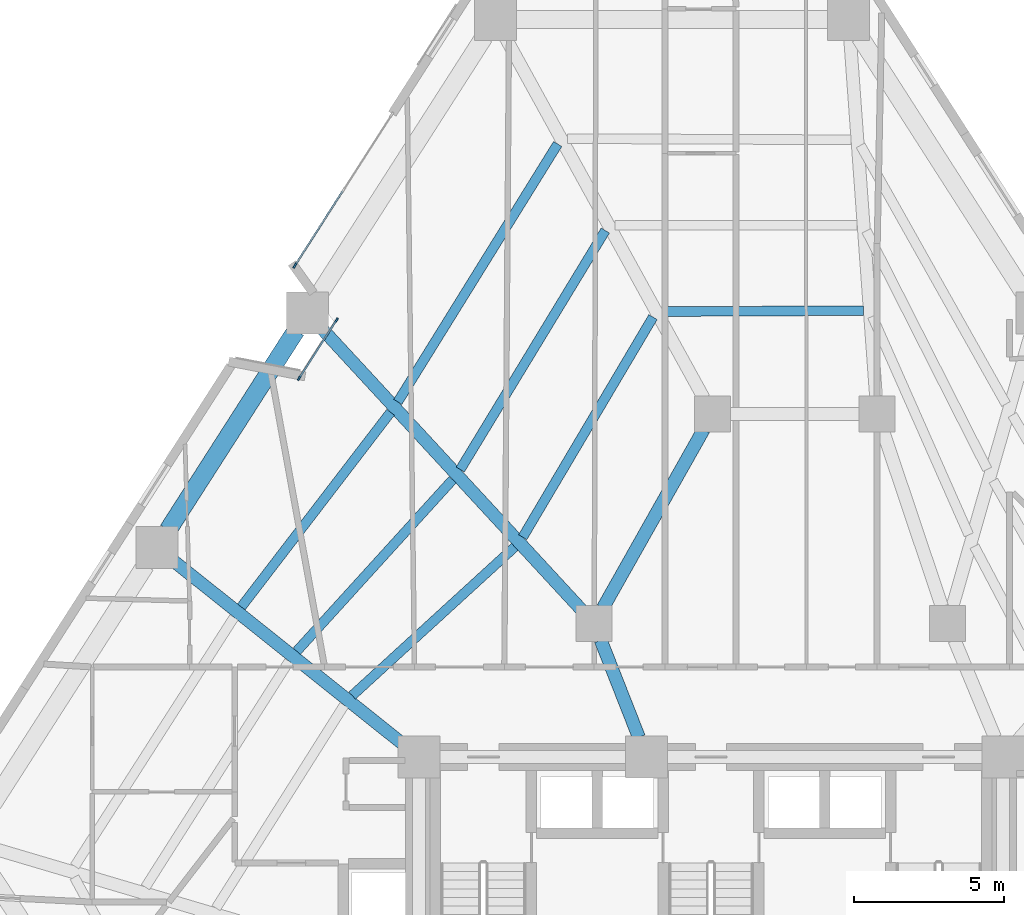
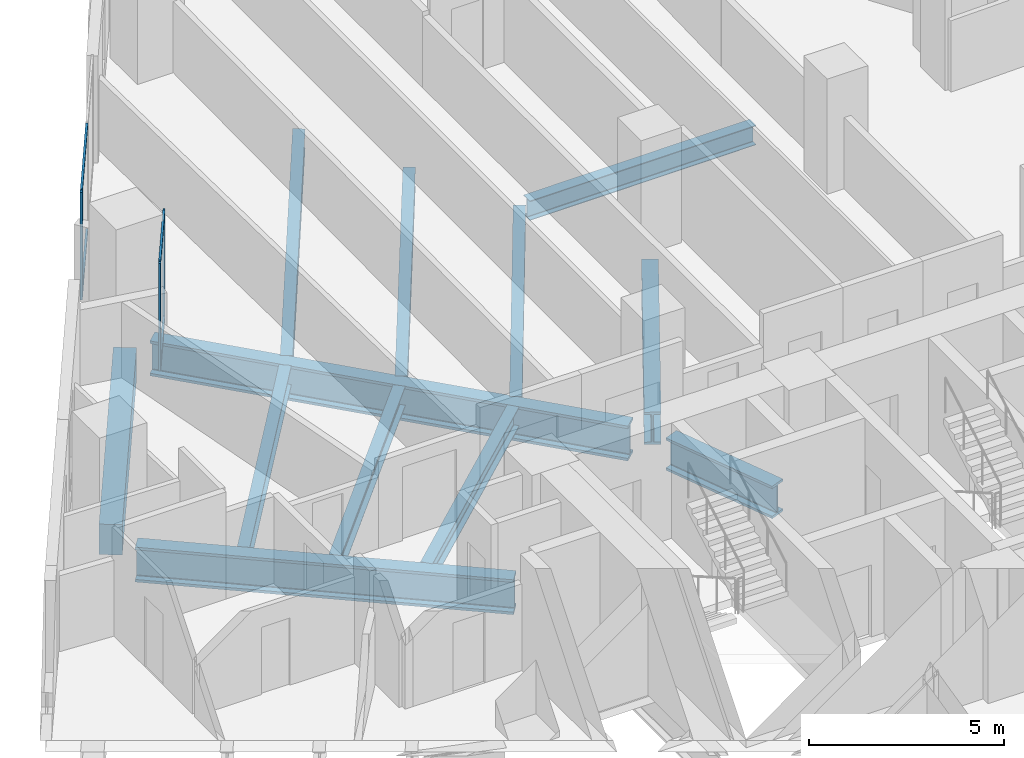
# One storey, part 3 of 14: 12 beams, 7 members, 2 elements without a shape of their own.
"""IFC4 building model written with IfcOpenShell, lengths in metres."""

from ifc_helpers import new_model, si_unit, direction, frame, origin, origin_2d, place, context, subcontext, project, spatial, rectangle, i_section, extrude, material, layer, layer_set, material_profile, profile_set, type_object, element, aggregate, save


model = new_model("IFC4")

# Units and contexts
model_context = context("Model", 3, precision=1e-05, world=origin(), true_north=direction((0.0, 1.0)))
body_context = subcontext(model_context, "Body", "Model", "MODEL_VIEW")
ifc_project = project(units=[si_unit("LENGTHUNIT", "METRE"), si_unit("AREAUNIT", "SQUARE_METRE"), si_unit("VOLUMEUNIT", "CUBIC_METRE"), si_unit("PLANEANGLEUNIT", "RADIAN"), si_unit("MASSUNIT", "GRAM", prefix="KILO")], contexts=[model_context])

# Site, building, storey
site_placement = place(None, origin())
site = spatial("IfcSite", under=ifc_project, at=site_placement, CompositionType="ELEMENT")
building_placement = place(site_placement, origin())
building = spatial("IfcBuilding", under=site, at=building_placement, Name="Almagre Mirador Tower", CompositionType="ELEMENT")
storey_placement = place(building_placement, frame((0.0, 0.0, 35.39990234375)))
storey = spatial("IfcBuildingStorey", under=building, at=storey_placement, Name="L07", CompositionType="ELEMENT", Elevation=35.39990234375)

# Beams
ifc_material_1 = material(Name="Steel ASTM A992 Grade 50", Category="steel")
ifc_material_profile_1 = material_profile(ifc_material_1, i_section(OverallWidth=0.323974609375, OverallDepth=0.611083984375, WebThickness=0.0126953125, FlangeThickness=0.01904296875, FilletRadius=0.02001953125, at=origin_2d()), Name="W24X104")
ifc_profile_set_1 = profile_set([ifc_material_profile_1], Name="Steel ASTM A992 Grade 50")
beam_type_1 = type_object("IfcBeamType", Name="BM-JST-W24X104", PredefinedType="JOIST", material=ifc_profile_set_1)
beam_1_placement = place(storey_placement, frame((42.388916015625, 29.647705078125, -0.555419921875), z_axis=(-0.9999880982, -0.004878878761, 0.0), x_axis=(0.004878878761, -0.9999880982, 0.0)))
element("IfcBeam", 1, at=beam_1_placement, inside=storey, type_object=beam_type_1, Name="L07 secondary floor joist PC08-PC09.3", PredefinedType="JOIST", context=body_context, shape_type="SweptSolid", body=[
    extrude(i_section(OverallWidth=0.323974609375, OverallDepth=0.611083984375, WebThickness=0.0126953125, FlangeThickness=0.01904296875, FilletRadius=0.02001953125, at=origin_2d()), origin(), (0.0, 0.0, 1.0), 6.705322265625),
])
beam_2_placement = place(storey_placement, frame((32.181640625, 35.2099609375, -0.555419921875), z_axis=(-0.527016621465, -0.849854976275, 0.0), x_axis=(0.849854976275, -0.527016621465, 0.0)))
element("IfcBeam", 2, at=beam_2_placement, inside=storey, type_object=beam_type_1, Name="L07 secondary floor joist PC09-PC10.1", PredefinedType="JOIST", context=body_context, shape_type="SweptSolid", body=[
    extrude(i_section(OverallWidth=0.323974609375, OverallDepth=0.611083984375, WebThickness=0.0126953125, FlangeThickness=0.01904296875, FilletRadius=0.02001953125, at=origin_2d()), origin(), (0.0, 0.0, 1.0), 10.12890625),
])
beam_3_placement = place(storey_placement, frame((33.7724609375, 32.32080078125, -0.555419921875), z_axis=(-0.518943321839, -0.854808650353, 0.0), x_axis=(0.854808650353, -0.518943321839, 0.0)))
element("IfcBeam", 3, at=beam_3_placement, inside=storey, type_object=beam_type_1, Name="L07 secondary floor joist PC09-PC10.2", PredefinedType="JOIST", context=body_context, shape_type="SweptSolid", body=[
    extrude(i_section(OverallWidth=0.323974609375, OverallDepth=0.611083984375, WebThickness=0.0126953125, FlangeThickness=0.01904296875, FilletRadius=0.02001953125, at=origin_2d()), origin(), (0.0, 0.0, 1.0), 9.33349609375),
])
beam_4_placement = place(storey_placement, frame((35.36376953125, 29.431396484375, -0.555419921875), z_axis=(-0.509415960857, -0.860520411625, 0.0), x_axis=(0.860520411625, -0.509415960857, 0.0)))
element("IfcBeam", 4, at=beam_4_placement, inside=storey, type_object=beam_type_1, Name="L07 secondary floor joist PC09-PC10.3", PredefinedType="JOIST", context=body_context, shape_type="SweptSolid", body=[
    extrude(i_section(OverallWidth=0.323974609375, OverallDepth=0.611083984375, WebThickness=0.0126953125, FlangeThickness=0.01904296875, FilletRadius=0.02001953125, at=origin_2d()), origin(), (0.0, 0.0, 1.0), 8.538818359375),
])
beam_5_placement = place(storey_placement, frame((26.602783203125, 26.25341796875, -0.555419921875), z_axis=(-0.608540420171, -0.793522877439, 0.0), x_axis=(0.793522877439, -0.608540420171, 0.0)))
element("IfcBeam", 5, at=beam_5_placement, inside=storey, type_object=beam_type_1, Name="L07 secondary floor joist PC10-PC11.1", PredefinedType="JOIST", context=body_context, shape_type="SweptSolid", body=[
    extrude(i_section(OverallWidth=0.323974609375, OverallDepth=0.611083984375, WebThickness=0.0126953125, FlangeThickness=0.01904296875, FilletRadius=0.02001953125, at=origin_2d()), origin(), (0.0, 0.0, 1.0), 8.190673828125),
])
beam_6_placement = place(storey_placement, frame((28.67626953125, 24.00439453125, -0.555419921875), z_axis=(-0.67260371892, -0.740002863032, 0.0), x_axis=(0.740002863032, -0.67260371892, 0.0)))
element("IfcBeam", 6, at=beam_6_placement, inside=storey, type_object=beam_type_1, Name="L07 secondary floor joist PC10-PC11.2", PredefinedType="JOIST", context=body_context, shape_type="SweptSolid", body=[
    extrude(i_section(OverallWidth=0.323974609375, OverallDepth=0.611083984375, WebThickness=0.0126953125, FlangeThickness=0.01904296875, FilletRadius=0.02001953125, at=origin_2d()), origin(), (0.0, 0.0, 1.0), 7.740966796875),
])
beam_7_placement = place(storey_placement, frame((30.74951171875, 21.758056640625, -0.555419921875), z_axis=(-0.738082183243, -0.674710820114, 0.0), x_axis=(0.674710820114, -0.738082183243, 0.0)))
element("IfcBeam", 7, at=beam_7_placement, inside=storey, type_object=beam_type_1, Name="L07 secondary floor joist PC10-PC11.3", PredefinedType="JOIST", context=body_context, shape_type="SweptSolid", body=[
    extrude(i_section(OverallWidth=0.323974609375, OverallDepth=0.611083984375, WebThickness=0.0126953125, FlangeThickness=0.01904296875, FilletRadius=0.02001953125, at=origin_2d()), origin(), (0.0, 0.0, 1.0), 7.3544921875),
])
ifc_material_2 = material(Name="Precast concrete C50/60", Category="concrete")
ifc_material_profile_2 = material_profile(ifc_material_2, rectangle(XDim=0.60009765625, YDim=0.949951171875, at=origin_2d()), Name="RC600X950")
ifc_profile_set_2 = profile_set([ifc_material_profile_2], Name="Precast concrete C50/60")
beam_type_2 = type_object("IfcBeamType", Name="BM-SPN-RC600X950", PredefinedType="SPANDREL", material=ifc_profile_set_2)
beam_8_placement = place(storey_placement, frame((23.4443359375, 28.983642578125, -0.724853515625), z_axis=(-0.539540486584, -0.841959656597, 0.0), x_axis=(0.841959656597, -0.539540486584, 0.0)))
element("IfcBeam", 8, at=beam_8_placement, inside=storey, type_object=beam_type_2, Name="L07 perimeter spandrel beam PC10-PC11", PredefinedType="SPANDREL", context=body_context, shape_type="SweptSolid", body=[
    extrude(rectangle(XDim=0.60009765625, YDim=0.949951171875, at=origin_2d()), origin(), (0.0, 0.0, 1.0), 7.911376953125),
])
ifc_material_3 = material(Name="Steel ASTM A992 Grade 50", Category="steel")
ifc_material_profile_3 = material_profile(ifc_material_3, i_section(OverallWidth=0.43701171875, OverallDepth=1.010986328125, WebThickness=0.041015625, FlangeThickness=0.073974609375, FilletRadius=0.028076171875, at=origin_2d()), Name="W36X529")
ifc_profile_set_3 = profile_set([ifc_material_profile_3], Name="Steel ASTM A992 Grade 50")
beam_type_3 = type_object("IfcBeamType", Name="BM-STL-W36X529", PredefinedType="BEAM", material=ifc_profile_set_3)
beam_9_placement = place(storey_placement, frame((37.05517578125, 25.677490234375, -0.75537109375), z_axis=(-0.491440637516, -0.870911074564, 0.0), x_axis=(0.870911074564, -0.491440637516, 0.0)))
element("IfcBeam", 9, at=beam_9_placement, inside=storey, type_object=beam_type_3, Name="L07 core tie girder MC7-MC8", PredefinedType="BEAM", context=body_context, shape_type="SweptSolid", body=[
    extrude(i_section(OverallWidth=0.43701171875, OverallDepth=1.010986328125, WebThickness=0.041015625, FlangeThickness=0.073974609375, FilletRadius=0.028076171875, at=origin_2d()), origin(), (0.0, 0.0, 1.0), 6.837646484375),
])
beam_10_placement = place(storey_placement, frame((33.61962890625, 18.6416015625, -0.75537109375), z_axis=(0.365956076985, -0.93063212373, 0.0), x_axis=(0.93063212373, 0.365956076985, 0.0)))
element("IfcBeam", 10, at=beam_10_placement, inside=storey, type_object=beam_type_3, Name="L07 core tie girder MC8-CC5", PredefinedType="BEAM", context=body_context, shape_type="SweptSolid", body=[
    extrude(i_section(OverallWidth=0.43701171875, OverallDepth=1.010986328125, WebThickness=0.041015625, FlangeThickness=0.073974609375, FilletRadius=0.028076171875, at=origin_2d()), origin(), (0.0, 0.0, 1.0), 3.481689453125),
])
ifc_material_4 = material(Name="Steel ASTM A913 Grade 65", Category="steel")
ifc_material_profile_4 = material_profile(ifc_material_4, i_section(OverallWidth=0.424072265625, OverallDepth=1.092041015625, WebThickness=0.04541015625, FlangeThickness=0.08203125, FilletRadius=0.030029296875, at=origin_2d()), Name="W40X593")
ifc_profile_set_4 = profile_set([ifc_material_profile_4], Name="Steel ASTM A913 Grade 65")
beam_type_4 = type_object("IfcBeamType", Name="BM-STL-W40X593", PredefinedType="BEAM", material=ifc_profile_set_4)
beam_11_placement = place(storey_placement, frame((24.296875, 29.05859375, -0.7958984375), z_axis=(0.678396377754, -0.734696096798, 0.0), x_axis=(0.734696096798, 0.678396377754, 0.0)))
element("IfcBeam", 11, at=beam_11_placement, inside=storey, type_object=beam_type_4, Name="L07 radial floor girder PC10-MC8", PredefinedType="BEAM", context=body_context, shape_type="SweptSolid", body=[
    extrude(i_section(OverallWidth=0.424072265625, OverallDepth=1.092041015625, WebThickness=0.04541015625, FlangeThickness=0.08203125, FilletRadius=0.030029296875, at=origin_2d()), origin(), (0.0, 0.0, 1.0), 12.818603515625),
])
beam_12_placement = place(storey_placement, frame((19.34521484375, 21.29638671875, -0.7958984375), z_axis=(0.78167052396, -0.623691584015, 0.0), x_axis=(0.623691584015, 0.78167052396, 0.0)))
element("IfcBeam", 12, at=beam_12_placement, inside=storey, type_object=beam_type_4, Name="L07 radial floor girder PC11-CC4", PredefinedType="BEAM", context=body_context, shape_type="SweptSolid", body=[
    extrude(i_section(OverallWidth=0.424072265625, OverallDepth=1.092041015625, WebThickness=0.04541015625, FlangeThickness=0.08203125, FilletRadius=0.030029296875, at=origin_2d()), origin(), (0.0, 0.0, 1.0), 9.79638671875),
])

# Curtain wall, members
ifc_material_5 = material(Name="Black anodized aluminium", Category="aluminium")
ifc_layer_1 = layer(ifc_material_5, 0.169921875)
ifc_layer_set_1 = layer_set([ifc_layer_1], Name="Black anodized aluminium")
curtain_wall_type_1 = type_object("IfcCurtainWallType", Name="CW-CRS-SYS", PredefinedType="NOTDEFINED", material=ifc_layer_set_1)
curtain_wall_1_placement = place(storey_placement, origin())
curtain_wall_1 = element("IfcCurtainWall", 13, at=curtain_wall_1_placement, inside=storey, type_object=curtain_wall_type_1, Name="L07 vertical crease curtain wall 01", PredefinedType="NOTDEFINED")
ifc_material_6 = material(Name="Black anodized aluminium", Category="aluminium")
ifc_material_profile_5 = material_profile(ifc_material_6, rectangle(XDim=0.06005859375, YDim=0.14990234375, at=origin_2d()), Name="CWM60X150")
ifc_profile_set_5 = profile_set([ifc_material_profile_5], Name="Black anodized aluminium")
member_type_1 = type_object("IfcMemberType", Name="MBR-CWM60X150", PredefinedType="MULLION", material=ifc_profile_set_5)
member_1_placement = place(storey_placement, frame((23.549560546875, 27.387451171875, 0.0), z_axis=(0.0, 0.0, 1.0), x_axis=(-0.841762109764, 0.539848636718, 0.0)))
member_1 = element("IfcMember", 14, at=member_1_placement, type_object=member_type_1, Name="CW-4 mullion 1", PredefinedType="MULLION", context=body_context, shape_type="SweptSolid", body=[
    extrude(rectangle(XDim=0.06005859375, YDim=0.14990234375, at=origin_2d()), origin(), (0.0, 0.0, 1.0), 3.35009765625),
])
member_2_placement = place(storey_placement, frame((24.79638671875, 29.33154296875, 0.0), z_axis=(0.0, 0.0, 1.0), x_axis=(-0.841762109764, 0.539848636718, 0.0)))
member_2 = element("IfcMember", 15, at=member_2_placement, type_object=member_type_1, Name="CW-4 mullion 2", PredefinedType="MULLION", context=body_context, shape_type="SweptSolid", body=[
    extrude(rectangle(XDim=0.06005859375, YDim=0.14990234375, at=origin_2d()), origin(), (0.0, 0.0, 1.0), 3.35009765625),
])

# Curtain wall, member
ifc_material_7 = material(Name="Black anodized aluminium", Category="aluminium")
ifc_layer_2 = layer(ifc_material_7, 0.18994140625)
ifc_layer_set_2 = layer_set([ifc_layer_2], Name="Black anodized aluminium")
curtain_wall_type_2 = type_object("IfcCurtainWallType", Name="CW-RES-L-SYS", PredefinedType="NOTDEFINED", material=ifc_layer_set_2)
curtain_wall_2_placement = place(storey_placement, origin())
curtain_wall_2 = element("IfcCurtainWall", 16, at=curtain_wall_2_placement, inside=storey, type_object=curtain_wall_type_2, Name="L07 curtain wall run 02", PredefinedType="NOTDEFINED")
ifc_material_8 = material(Name="Black anodized aluminium", Category="aluminium")
ifc_material_profile_6 = material_profile(ifc_material_8, rectangle(XDim=0.06494140625, YDim=0.179931640625, at=origin_2d()), Name="CWM65X180")
ifc_profile_set_6 = profile_set([ifc_material_profile_6], Name="Black anodized aluminium")
member_type_2 = type_object("IfcMemberType", Name="MBR-CWM65X180", PredefinedType="MULLION", material=ifc_profile_set_6)
member_3_placement = place(storey_placement, frame((23.405517578125, 31.146484375, 0.0), z_axis=(0.0, 0.0, 1.0), x_axis=(-0.841967002982, 0.539529022287, 0.0)))
member_3 = element("IfcMember", 17, at=member_3_placement, type_object=member_type_2, Name="CW-2 mullion 1", PredefinedType="MULLION", context=body_context, shape_type="SweptSolid", body=[
    extrude(rectangle(XDim=0.06494140625, YDim=0.179931640625, at=origin_2d()), origin(), (0.0, 0.0, 1.0), 3.35009765625),
])

# Member
ifc_material_9 = material(Name="Black anodized aluminium", Category="aluminium")
ifc_material_profile_7 = material_profile(ifc_material_9, rectangle(XDim=0.06005859375, YDim=0.1298828125, at=origin_2d()), Name="CWT60X130")
ifc_profile_set_7 = profile_set([ifc_material_profile_7], Name="Black anodized aluminium")
member_type_3 = type_object("IfcMemberType", Name="MBR-CWT60X130", PredefinedType="USERDEFINED", material=ifc_profile_set_7)
member_4_placement = place(storey_placement, frame((23.565673828125, 27.41259765625, 0.030029296875), z_axis=(0.539863308408, 0.841752700165, 0.0), x_axis=(-0.841752700165, 0.539863308408, 0.0)))
member_4 = element("IfcMember", 18, at=member_4_placement, type_object=member_type_3, Name="CW-4 transom 1.1", ObjectType="TRANSOM", PredefinedType="USERDEFINED", context=body_context, shape_type="SweptSolid", body=[
    extrude(rectangle(XDim=0.06005859375, YDim=0.1298828125, at=origin_2d()), origin(), (0.0, 0.0, 1.0), 2.249755859375),
])

member_5_placement = place(storey_placement, frame((23.565673828125, 27.41259765625, 3.320068359375), z_axis=(0.539863308408, 0.841752700165, 0.0), x_axis=(-0.841752700165, 0.539863308408, 0.0)))
member_5 = element("IfcMember", 19, at=member_5_placement, type_object=member_type_3, Name="CW-4 transom 1.2", ObjectType="TRANSOM", PredefinedType="USERDEFINED", context=body_context, shape_type="SweptSolid", body=[
    extrude(rectangle(XDim=0.06005859375, YDim=0.1298828125, at=origin_2d()), origin(), (0.0, 0.0, 1.0), 2.249755859375),
])

aggregate(curtain_wall_1, [member_1, member_2, member_4, member_5])

member_6_placement = place(storey_placement, frame((23.423095703125, 31.173828125, 0.030029296875), z_axis=(0.539561682535, 0.841946073534, 0.0), x_axis=(-0.841946073534, 0.539561682535, 0.0)))
member_6 = element("IfcMember", 20, at=member_6_placement, type_object=member_type_3, Name="CW-2 transom 1.1", ObjectType="TRANSOM", PredefinedType="USERDEFINED", context=body_context, shape_type="SweptSolid", body=[
    extrude(rectangle(XDim=0.06005859375, YDim=0.1298828125, at=origin_2d()), origin(), (0.0, 0.0, 1.0), 2.931640625),
])

member_7_placement = place(storey_placement, frame((23.423095703125, 31.173828125, 3.320068359375), z_axis=(0.539561682535, 0.841946073534, 0.0), x_axis=(-0.841946073534, 0.539561682535, 0.0)))
member_7 = element("IfcMember", 21, at=member_7_placement, type_object=member_type_3, Name="CW-2 transom 1.2", ObjectType="TRANSOM", PredefinedType="USERDEFINED", context=body_context, shape_type="SweptSolid", body=[
    extrude(rectangle(XDim=0.06005859375, YDim=0.1298828125, at=origin_2d()), origin(), (0.0, 0.0, 1.0), 2.931640625),
])

aggregate(curtain_wall_2, [member_3, member_6, member_7])

save(model, "model.ifc")
